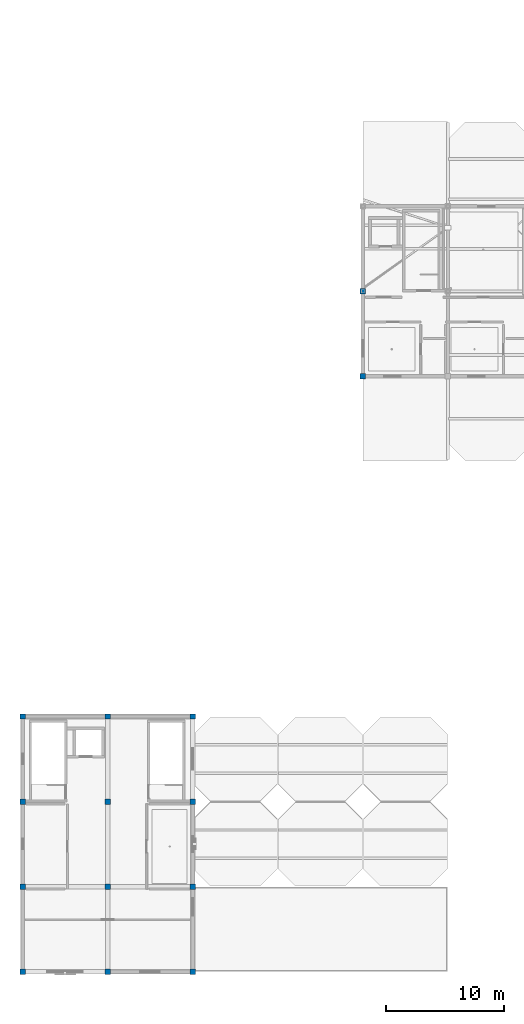
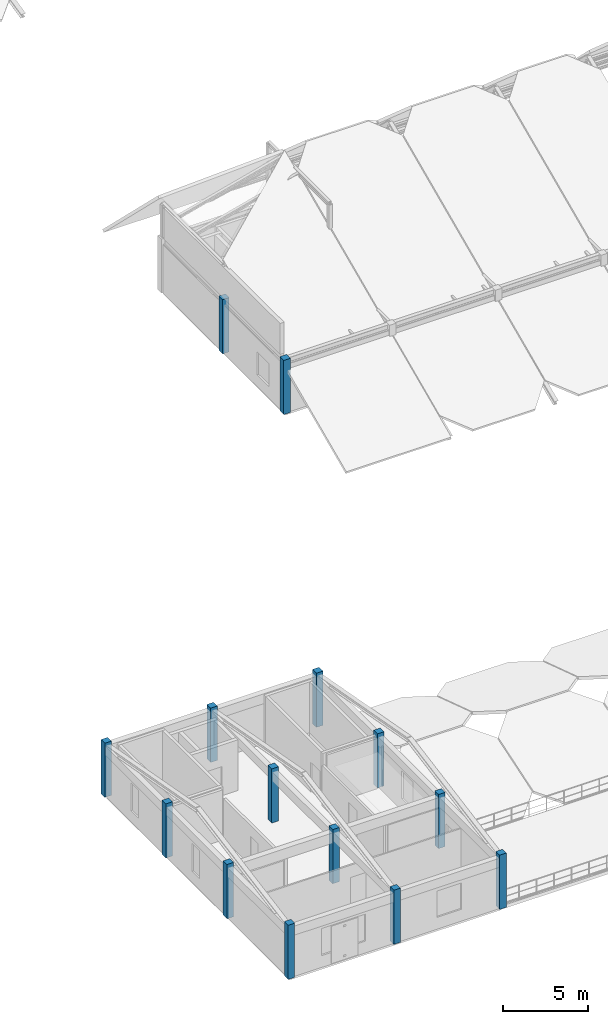
# One storey, part 1 of 54: 14 columns.
"""IFC4 building model written with IfcOpenShell, lengths in metres."""

from ifc_helpers import new_model, si_unit, direction, frame, origin, origin_2d, place, context, subcontext, project, spatial, rectangle, extrude, material, material_profile, profile_set, type_object, element, save


model = new_model("IFC4")

# Units and contexts
model_context = context("Model", 3, precision=1e-05, world=origin(), true_north=direction((0.0, 1.0)))
body_context = subcontext(model_context, "Body", "Model", "MODEL_VIEW")
ifc_project = project(units=[si_unit("LENGTHUNIT", "METRE"), si_unit("AREAUNIT", "SQUARE_METRE"), si_unit("VOLUMEUNIT", "CUBIC_METRE"), si_unit("PLANEANGLEUNIT", "RADIAN"), si_unit("MASSUNIT", "GRAM", prefix="KILO")], contexts=[model_context])

# Site, building, storey
site_placement = place(None, origin())
site = spatial("IfcSite", under=ifc_project, at=site_placement, CompositionType="ELEMENT")
building_placement = place(site_placement, origin())
building = spatial("IfcBuilding", under=site, at=building_placement, Name="Koriwan Promenade Central Fire Station", CompositionType="ELEMENT")
storey_placement = place(building_placement, frame((0.0, 0.0, 9.60009765625)))
storey = spatial("IfcBuildingStorey", under=building, at=storey_placement, Name="L02", CompositionType="ELEMENT", Elevation=9.60009765625)

# Columns
ifc_material = material(Name="Concrete C40/50", Category="concrete")
ifc_material_profile = material_profile(ifc_material, rectangle(XDim=0.449951171875, YDim=0.449951171875, at=origin_2d()), Name="RC-COL-450x450")
ifc_profile_set = profile_set([ifc_material_profile], Name="Concrete C40/50")
column_type = type_object("IfcColumnType", Name="Column_RC-COL-450x450", PredefinedType="COLUMN", material=ifc_profile_set)
for number, where, z_axis, x_axis, name in (
    (1, (0.0, 0.0, 0.0), (0.0, 0.0, 1.0), (1.0, 0.0, 0.0), "V3 L02 column (0.0, 0.0)"),
    (2, (0.0, 7.199951171875, 0.0), (0.0, 0.0, 1.0), (1.0, 0.0, 0.0), "V3 L02 column (0.0, 7.2)"),
    (3, (0.0, 14.39990234375, 0.0), (0.0, 0.0, 1.0), (1.0, 0.0, 0.0), "V3 L02 column (0.0, 14.4)"),
    (4, (0.0, 21.60009765625, 0.0), (0.0, 0.0, 1.0), (1.0, 0.0, 0.0), "V3 L02 column (0.0, 21.6)"),
    (5, (7.199951171875, 0.0, 0.0), (0.0, 0.0, 1.0), (1.0, 0.0, 0.0), "V3 L02 column (7.2, 0.0)"),
    (6, (7.199951171875, 7.199951171875, 0.0), (0.0, 0.0, 1.0), (1.0, 0.0, 0.0), "V3 L02 column (7.2, 7.2)"),
    (7, (7.199951171875, 14.39990234375, 0.0), (0.0, 0.0, 1.0), (1.0, 0.0, 0.0), "V3 L02 column (7.2, 14.4)"),
    (8, (7.199951171875, 21.60009765625, 0.0), (0.0, 0.0, 1.0), (1.0, 0.0, 0.0), "V3 L02 column (7.2, 21.6)"),
    (9, (14.39990234375, 0.0, 0.0), (0.0, 0.0, 1.0), (1.0, 0.0, 0.0), "V3 L02 column (14.4, 0.0)"),
    (10, (14.39990234375, 7.199951171875, 0.0), (0.0, 0.0, 1.0), (1.0, 0.0, 0.0), "V3 L02 column (14.4, 7.2)"),
    (11, (14.39990234375, 14.39990234375, 0.0), (0.0, 0.0, 1.0), (1.0, 0.0, 0.0), "V3 L02 column (14.4, 14.4)"),
    (12, (14.39990234375, 21.60009765625, 0.0), (0.0, 0.0, 1.0), (1.0, 0.0, 0.0), "V3 L02 column (14.4, 21.6)"),
    (13, (28.800048828125, 50.39990234375, 0.0), (0.0, 0.0, 1.0), (1.0, 0.0, 0.0), "V4 L02 column (28.8, 50.4)"),
    (14, (28.800048828125, 57.60009765625, 0.0), (0.0, 0.0, 1.0), (1.0, 0.0, 0.0), "V4 L02 column (28.8, 57.6)"),
):
    element("IfcColumn", number, at=place(storey_placement, frame(where, z_axis=z_axis, x_axis=x_axis)), inside=storey, type_object=column_type, Name=name, PredefinedType="COLUMN", context=body_context, shape_type="SweptSolid", body=[
        extrude(rectangle(XDim=0.449951171875, YDim=0.449951171875, at=origin_2d()), origin(), (0.0, 0.0, 1.0), 3.89990234375),
    ])

save(model, "model.ifc")
